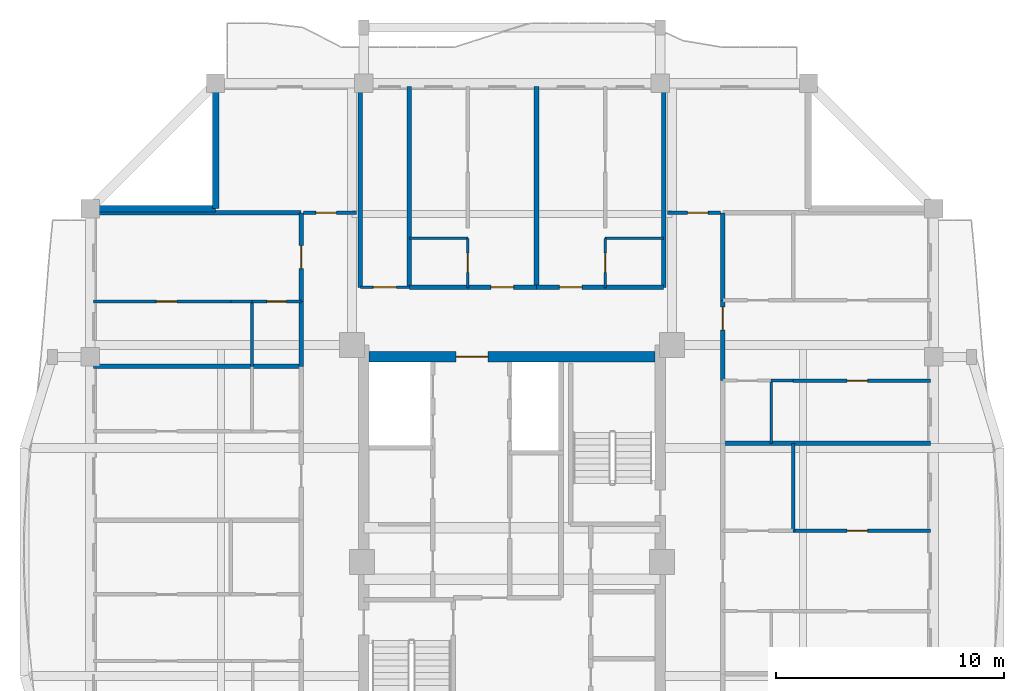
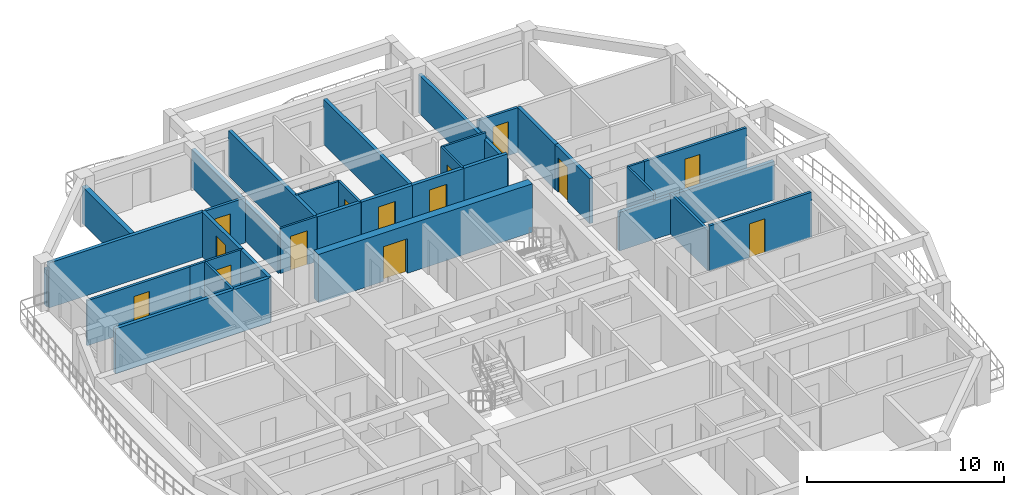
# One storey, part 6 of 13: 34 walls, 14 doors, 14 openings.
"""IFC4 building model written with IfcOpenShell, lengths in metres."""

import ifcopenshell
import ifcopenshell.guid

model = None  # the IFC model being written
_history = None  # IfcOwnerHistory: only IFC2X3 demands one
_inside = {}  # id of a spatial element -> (the spatial element, [elements in it])
_under = {}  # id of a project, library or spatial element -> (it, [spatial elements below it])
_declared = {}  # id of a project -> (the project, [libraries it declares])
_typed = {}  # id of a type object -> (the type object, [elements of that type])
_made_of = {}  # id of a material, layer set ... -> (it, [elements and type objects made of it])


def new_model(schema):
    """Start an empty IFC model of exactly this schema.

    Asked for "IFC4X3", IfcOpenShell would pick the latest addendum, in which some entities
    have other attributes; the version numbers below select the first issue.
    IFC2X3 requires an IfcOwnerHistory on every rooted entity: one is made here for all.
    """
    global model, _history
    if schema == "IFC4X3":
        model = ifcopenshell.file(schema_version=(4, 3, 0, 0))
    else:
        model = ifcopenshell.file(schema=schema)
    _inside.clear()
    _under.clear()
    _declared.clear()
    _typed.clear()
    _made_of.clear()
    _history = None
    if model.schema == "IFC2X3":
        org = make("IfcOrganization", Name="unknown")
        user = make(
            "IfcPersonAndOrganization",
            ThePerson=make("IfcPerson", FamilyName="unknown"),
            TheOrganization=org,
        )
        app = make(
            "IfcApplication",
            ApplicationDeveloper=org,
            Version="unknown",
            ApplicationFullName="unknown",
            ApplicationIdentifier="unknown",
        )
        _history = make(
            "IfcOwnerHistory",
            OwningUser=user,
            OwningApplication=app,
            ChangeAction="ADDED",
            CreationDate=0,
        )
    return model


def make(cls, **values):
    """One entity of the class cls with the attributes given. An attribute that is None is left unset."""
    return model.create_entity(
        cls, **{name: value for name, value in values.items() if value is not None}
    )


def rooted(cls, **values):
    """An entity with a GlobalId (a new one), such as an element, a storey or a relation."""
    return make(cls, GlobalId=ifcopenshell.guid.new(), OwnerHistory=_history, **values)


def si_unit(unit_type, name, prefix=None):
    """IfcSIUnit, for example si_unit("LENGTHUNIT", "METRE", prefix="MILLI")."""
    return make("IfcSIUnit", UnitType=unit_type, Prefix=prefix, Name=name)


def assignment(units):
    """IfcUnitAssignment: the units of a project."""
    return None if units is None else make("IfcUnitAssignment", Units=units)


def point(xyz):
    """IfcCartesianPoint."""
    return None if xyz is None else make("IfcCartesianPoint", Coordinates=xyz)


def direction(xyz):
    """IfcDirection."""
    return None if xyz is None else make("IfcDirection", DirectionRatios=xyz)


def frame(location, z_axis=None, x_axis=None):
    """IfcAxis2Placement3D, a coordinate frame: its origin and axes. An axis left out is left unset."""
    return make(
        "IfcAxis2Placement3D",
        Location=point(location),
        Axis=direction(z_axis),
        RefDirection=direction(x_axis),
    )


def frame_2d(location, x_axis=None):
    """IfcAxis2Placement2D, a coordinate frame in the plane: its origin and x axis."""
    return make(
        "IfcAxis2Placement2D", Location=point(location), RefDirection=direction(x_axis)
    )


def origin():
    """The frame at (0, 0, 0) with its axes left unset."""
    return frame((0.0, 0.0, 0.0))


def place(relative_to, where):
    """IfcLocalPlacement: puts the frame where relative to a parent placement (None: the world)."""
    return make(
        "IfcLocalPlacement", PlacementRelTo=relative_to, RelativePlacement=where
    )


def context(
    kind, dimensions, precision=None, world=None, true_north=None, identifier=None
):
    """IfcGeometricRepresentationContext, for example the 3D "Model" context."""
    return make(
        "IfcGeometricRepresentationContext",
        ContextIdentifier=identifier,
        ContextType=kind,
        CoordinateSpaceDimension=dimensions,
        Precision=precision,
        WorldCoordinateSystem=world,
        TrueNorth=true_north,
    )


def subcontext(parent, identifier, kind, view, scale=None):
    """IfcGeometricRepresentationSubContext, for example "Body" below "Model"."""
    return make(
        "IfcGeometricRepresentationSubContext",
        ContextIdentifier=identifier,
        ContextType=kind,
        ParentContext=parent,
        TargetScale=scale,
        TargetView=view,
    )


def project(units=None, contexts=None):
    """IfcProject with its units and contexts."""
    return rooted(
        "IfcProject",
        Name="project",
        RepresentationContexts=contexts,
        UnitsInContext=assignment(units),
    )


def spatial(cls, under=None, at=None, **own):
    """A site, building, storey or space (cls), placed at a placement, below another one or the project."""
    s = rooted(cls, ObjectPlacement=at, **own)
    if under is not None:
        _under.setdefault(under.id(), (under, []))[1].append(s)
    return s


def profile(cls, at=None, kind="AREA", **sizes):
    """A parametric profile (cls). Its sizes go by their IFC names, for example OverallWidth=200.0."""
    return make(cls, ProfileType=kind, Position=at, **sizes)


def rectangle(**sizes):
    """IfcRectangleProfileDef."""
    return profile("IfcRectangleProfileDef", **sizes)


def extrude(swept, where, along, depth):
    """IfcExtrudedAreaSolid: the profile swept, set in the frame where, extruded along a direction by depth."""
    return make(
        "IfcExtrudedAreaSolid",
        SweptArea=swept,
        Position=where,
        ExtrudedDirection=direction(along),
        Depth=depth,
    )


def shape(context_of_items, identifier, shape_type, items):
    """IfcShapeRepresentation: the items that make up one representation, for example the "Body"."""
    return make(
        "IfcShapeRepresentation",
        ContextOfItems=context_of_items,
        RepresentationIdentifier=identifier,
        RepresentationType=shape_type,
        Items=items,
    )


def source(mapping_origin, context_of_items, identifier, shape_type, items):
    """IfcRepresentationMap: a shape defined once, which mapped items show again and again."""
    return make(
        "IfcRepresentationMap",
        MappingOrigin=mapping_origin,
        MappedRepresentation=shape(context_of_items, identifier, shape_type, items),
    )


def transform(
    local_origin,
    x_axis=None,
    y_axis=None,
    z_axis=None,
    scale=None,
    scale2=None,
    scale3=None,
    uniform=True,
):
    """IfcCartesianTransformationOperator3D, or its non-uniform kind. x_axis, y_axis, z_axis: its Axis1, 2, 3."""
    if uniform:
        return make(
            "IfcCartesianTransformationOperator3D",
            Axis1=direction(x_axis),
            Axis2=direction(y_axis),
            LocalOrigin=point(local_origin),
            Scale=scale,
            Axis3=direction(z_axis),
        )
    return make(
        "IfcCartesianTransformationOperator3DnonUniform",
        Axis1=direction(x_axis),
        Axis2=direction(y_axis),
        LocalOrigin=point(local_origin),
        Scale=scale,
        Axis3=direction(z_axis),
        Scale2=scale2,
        Scale3=scale3,
    )


def mapped(mapping_source, mapping_target):
    """IfcMappedItem: shows the shape of a source again, moved by a transform."""
    return make(
        "IfcMappedItem", MappingSource=mapping_source, MappingTarget=mapping_target
    )


def material(Name=None, Category=None):
    """IfcMaterial."""
    return make("IfcMaterial", Name=Name, Category=Category)


def layer(
    of_material, thickness, ventilated=None, Name=None, Category=None, Priority=None
):
    """IfcMaterialLayer: one layer of a wall or slab, of a material (None: an air gap)."""
    return make(
        "IfcMaterialLayer",
        Material=of_material,
        LayerThickness=thickness,
        IsVentilated=ventilated,
        Name=Name,
        Category=Category,
        Priority=Priority,
    )


def layer_set(layers, Name=None):
    """IfcMaterialLayerSet."""
    return make("IfcMaterialLayerSet", MaterialLayers=layers, LayerSetName=Name)


def made_of(thing, what):
    """Note that an element or type object is made of a material, layer set ...; save() writes the relation."""
    if what is not None:
        _made_of.setdefault(what.id(), (what, []))[1].append(thing)
    return thing


def type_object(cls, material=None, **own):
    """A type object (cls), such as IfcWallType, which elements share."""
    return made_of(rooted(cls, **own), material)


def element(
    cls,
    number,
    at=None,
    inside=None,
    cuts=None,
    type_object=None,
    material=None,
    context=None,
    identifier="Body",
    shape_type=None,
    held_by="IfcProductDefinitionShape",
    body=None,
    shapes=None,
    **own,
):
    """One element of the class cls, such as IfcWall. Its Tag is "e" and its number.

    at: its placement. inside: the storey or other place that contains it. cuts: it is an
    opening in that element (IfcRelVoidsElement). A single representation is given by context,
    identifier, shape_type and body (its items); several are given by shapes. held_by: the class
    of the entity that holds the representations. save() writes the other relations.
    """
    e = rooted(cls, Tag="e%d" % number, ObjectPlacement=at, **own)
    if body is not None:
        shapes = [shape(context, identifier, shape_type, body)]
    if shapes is not None:
        e.Representation = make(held_by, Representations=shapes)
    if inside is not None:
        _inside.setdefault(inside.id(), (inside, []))[1].append(e)
    if cuts is not None:
        rooted(
            "IfcRelVoidsElement", RelatingBuildingElement=cuts, RelatedOpeningElement=e
        )
    if type_object is not None:
        _typed.setdefault(type_object.id(), (type_object, []))[1].append(e)
    return made_of(e, material)


def fill(opening, filler):
    """IfcRelFillsElement: the door or window that sits in an opening."""
    return rooted(
        "IfcRelFillsElement",
        RelatingOpeningElement=opening,
        RelatedBuildingElement=filler,
    )


def aggregate(whole, parts):
    """IfcRelAggregates: a whole, such as a stair, and the parts it consists of."""
    return rooted("IfcRelAggregates", RelatingObject=whole, RelatedObjects=parts)


def save(model, path):
    """Write the relations noted so far, then the file.

    IfcRelAggregates (storeys below a building ...), IfcRelContainedInSpatialStructure (elements
    in a storey), IfcRelDefinesByType, IfcRelAssociatesMaterial and IfcRelDeclares: one each for
    every whole, place, type object, material and project.
    """
    for whole, parts in _under.values():
        aggregate(whole, parts)
    for where, things in _inside.values():
        rooted(
            "IfcRelContainedInSpatialStructure",
            RelatedElements=things,
            RelatingStructure=where,
        )
    for kind, things in _typed.values():
        rooted("IfcRelDefinesByType", RelatedObjects=things, RelatingType=kind)
    for what, things in _made_of.values():
        rooted("IfcRelAssociatesMaterial", RelatedObjects=things, RelatingMaterial=what)
    for by, libraries in _declared.values():
        rooted("IfcRelDeclares", RelatingContext=by, RelatedDefinitions=libraries)
    model.write(path)


model = new_model("IFC4")

# Units and contexts
model_context = context("Model", 3, precision=1e-05, world=origin(), true_north=direction((0.0, 1.0)))
body_context = subcontext(model_context, "Body", "Model", "MODEL_VIEW")
ifc_project = project(units=[si_unit("LENGTHUNIT", "METRE"), si_unit("AREAUNIT", "SQUARE_METRE"), si_unit("VOLUMEUNIT", "CUBIC_METRE"), si_unit("PLANEANGLEUNIT", "RADIAN"), si_unit("MASSUNIT", "GRAM", prefix="KILO")], contexts=[model_context])

# Site, building, storey
site_placement = place(None, origin())
site = spatial("IfcSite", under=ifc_project, at=site_placement, CompositionType="ELEMENT")
building_placement = place(site_placement, origin())
building = spatial("IfcBuilding", under=site, at=building_placement, Name="Saelheon Loggia Tower", CompositionType="ELEMENT")
storey_placement = place(building_placement, frame((0.0, 0.0, 199.60009765625)))
storey = spatial("IfcBuildingStorey", under=building, at=storey_placement, Name="L62", CompositionType="ELEMENT", Elevation=199.60009765625)

# Wall, opening, door
ifc_material_1 = material(Name="Concrete C45/55", Category="concrete")
ifc_layer_1 = layer(ifc_material_1, 0.449951171875)
ifc_layer_set_1 = layer_set([ifc_layer_1], Name="Concrete C45/55")
wall_type_1 = type_object("IfcWallType", Name="Wall_CoreShear_450", PredefinedType="SHEAR", material=ifc_layer_set_1)
wall_1_placement = place(storey_placement, frame((31.72509765625, 36.0, 0.0), z_axis=(0.0, 0.0, 1.0), x_axis=(1.0, 0.0, 0.0)))
wall_1 = element("IfcWall", 1, at=wall_1_placement, inside=storey, type_object=wall_type_1, Name="L62 Core Shear Wall North", PredefinedType="SHEAR", context=body_context, shape_type="SweptSolid", body=[
    extrude(rectangle(XDim=12.5498046875, YDim=0.449951171875, at=frame_2d((6.27490234375, 0.0))), origin(), (0.0, 0.0, 1.0), 3.0),
])
opening_1_placement = place(wall_1_placement, frame((5.224853515625, 0.0, 0.0), z_axis=(0.0, 0.0, 1.0), x_axis=(-1.0, 0.0, 0.0)))
opening_1 = element("IfcOpeningElement", 2, at=opening_1_placement, cuts=wall_1, Name="Opening D-FD2L", PredefinedType="OPENING", context=body_context, shape_type="SweptSolid", body=[
    extrude(rectangle(XDim=1.39990234375, YDim=2.14990234375, at=frame_2d((0.699951171875, 1.074951171875))), frame((0.0, 0.237060546875, 0.0), z_axis=(0.0, -1.0, 0.0), x_axis=(1.0, 0.0, 0.0)), (0.0, 0.0, 1.0), 0.473876953125),
])
ifc_material_2 = material(Name="Galvanised Steel Glazed Lobby Fire Door", Category="steel")
door_type_1 = type_object("IfcDoorType", Name="Door_Fire_FD60_1400", OperationType="NOTDEFINED", PredefinedType="DOOR", material=ifc_material_2)
shared_shape_1 = source(origin(), body_context, "Body", "SweptSolid", [
    extrude(rectangle(XDim=1.39990234375, YDim=2.14990234375, at=frame_2d((0.699951171875, 1.074951171875))), frame((0.0, 0.02490234375, 0.0), z_axis=(0.0, -1.0, 0.0), x_axis=(1.0, 0.0, 0.0)), (0.0, 0.0, 1.0), 0.050048828125),
])
door_1_placement = place(opening_1_placement, origin())
door_1 = element("IfcDoor", 3, at=door_1_placement, inside=storey, type_object=door_type_1, Name="L62 Passenger Lift Lobby Main Door", OperationType="SINGLE_SWING_RIGHT", OverallHeight=2.14990234375, OverallWidth=1.39990234375, PredefinedType="DOOR", context=body_context, shape_type="MappedRepresentation", body=[
    mapped(shared_shape_1, transform((0.0, 0.0, 0.0), scale=1.0)),
])
fill(opening_1, door_1)

# Walls
ifc_material_3 = material(Name="Architectural Precast Concrete C40/50", Category="concrete")
ifc_layer_2 = layer(ifc_material_3, 0.280029296875)
ifc_layer_set_2 = layer_set([ifc_layer_2], Name="Architectural Precast Concrete C40/50")
wall_type_2 = type_object("IfcWallType", Name="Wall_Ext_Loggia_280", PredefinedType="SOLIDWALL", material=ifc_layer_set_2)
for number, where, z_axis, x_axis, name in (
    (4, (25.0, 42.5, 0.0), (0.0, 0.0, 1.0), (0.0, 1.0, 0.0), "L62 Corner Notch Precast Wall NW1"),
    (5, (19.580078125, 42.5, 0.0), (0.0, 0.0, 1.0), (1.0, 0.0, 0.0), "L62 Corner Notch Precast Wall NW2"),
):
    element("IfcWall", number, at=place(storey_placement, frame(where, z_axis=z_axis, x_axis=x_axis)), inside=storey, type_object=wall_type_2, Name=name, PredefinedType="SOLIDWALL", context=body_context, shape_type="SweptSolid", body=[
        extrude(rectangle(XDim=5.419921875, YDim=0.280029296875, at=frame_2d((2.7099609375, 0.0))), origin(), (0.0, 0.0, 1.0), 2.27978515625),
    ])

# Wall, opening, door
ifc_material_4 = material(Name="Lightweight Autoclaved Aerated Concrete Block and Acoustic Gypsum", Category="concrete")
ifc_layer_3 = layer(ifc_material_4, 0.14990234375)
ifc_layer_set_3 = layer_set([ifc_layer_3], Name="Lightweight Autoclaved Aerated Concrete Block and Acoustic Gypsum")
wall_type_3 = type_object("IfcWallType", Name="Wall_Part_150", PredefinedType="PARTITIONING", material=ifc_layer_set_3)
wall_2_placement = place(storey_placement, frame((28.85009765625, 42.320068359375, 0.0), z_axis=(0.0, 0.0, 1.0), x_axis=(1.0, 0.0, 0.0)))
wall_2 = element("IfcWall", 6, at=wall_2_placement, inside=storey, type_object=wall_type_3, Name="PW-L62-CNW-H", PredefinedType="PARTITIONING", context=body_context, shape_type="SweptSolid", body=[
    extrude(rectangle(XDim=2.329833984375, YDim=0.14990234375, at=frame_2d((1.1650390625, 0.0))), origin(), (0.0, 0.0, 1.0), 2.789794921875),
])
opening_2_placement = place(wall_2_placement, frame((0.550048828125, 0.0, 0.0)))
opening_2 = element("IfcOpeningElement", 7, at=opening_2_placement, cuts=wall_2, Name="Opening D-IN2", PredefinedType="OPENING", context=body_context, shape_type="SweptSolid", body=[
    extrude(rectangle(XDim=0.89990234375, YDim=2.10009765625, at=frame_2d((0.449951171875, 1.050048828125))), frame((0.0, 0.0869140625, 0.0), z_axis=(0.0, -1.0, 0.0), x_axis=(1.0, 0.0, 0.0)), (0.0, 0.0, 1.0), 0.173828125),
])
ifc_material_5 = material(Name="Engineered Oak Flush Door", Category="timber")
door_type_2 = type_object("IfcDoorType", Name="Door_Int_900", OperationType="NOTDEFINED", PredefinedType="DOOR", material=ifc_material_5)
shared_shape_2 = source(origin(), body_context, "Body", "SweptSolid", [
    extrude(rectangle(XDim=0.89990234375, YDim=2.10009765625, at=frame_2d((0.449951171875, 1.050048828125))), frame((0.0, 0.02490234375, 0.0), z_axis=(0.0, -1.0, 0.0), x_axis=(1.0, 0.0, 0.0)), (0.0, 0.0, 1.0), 0.050048828125),
])
door_2_placement = place(opening_2_placement, origin())
door_2 = element("IfcDoor", 8, at=door_2_placement, inside=storey, type_object=door_type_2, Name="L62 Corner Home Office NW Door", OperationType="SINGLE_SWING_LEFT", OverallHeight=2.10009765625, OverallWidth=0.89990234375, PredefinedType="DOOR", context=body_context, shape_type="MappedRepresentation", body=[
    mapped(shared_shape_2, transform((0.0, 0.0, 0.0), scale=1.0)),
])
fill(opening_2, door_2)

wall_3_placement = place(storey_placement, frame((44.820068359375, 42.320068359375, 0.0), z_axis=(0.0, 0.0, 1.0), x_axis=(1.0, 0.0, 0.0)))
wall_3 = element("IfcWall", 9, at=wall_3_placement, inside=storey, type_object=wall_type_3, Name="PW-L62-CNE-H", PredefinedType="PARTITIONING", context=body_context, shape_type="SweptSolid", body=[
    extrude(rectangle(XDim=2.329833984375, YDim=0.14990234375, at=frame_2d((1.1650390625, 0.0))), origin(), (0.0, 0.0, 1.0), 2.789794921875),
])
opening_3_placement = place(wall_3_placement, frame((0.8798828125, 0.0, 0.0)))
opening_3 = element("IfcOpeningElement", 10, at=opening_3_placement, cuts=wall_3, Name="Opening D-IN2", PredefinedType="OPENING", context=body_context, shape_type="SweptSolid", body=[
    extrude(rectangle(XDim=0.89990234375, YDim=2.10009765625, at=frame_2d((0.449951171875, 1.050048828125))), frame((0.0, 0.0869140625, 0.0), z_axis=(0.0, -1.0, 0.0), x_axis=(1.0, 0.0, 0.0)), (0.0, 0.0, 1.0), 0.173828125),
])
door_3_placement = place(opening_3_placement, origin())
door_3 = element("IfcDoor", 11, at=door_3_placement, inside=storey, type_object=door_type_2, Name="L62 Corner Reading Room NE Door", OperationType="SINGLE_SWING_LEFT", OverallHeight=2.10009765625, OverallWidth=0.89990234375, PredefinedType="DOOR", context=body_context, shape_type="MappedRepresentation", body=[
    mapped(shared_shape_2, transform((0.0, 0.0, 0.0), scale=1.0)),
])
fill(opening_3, door_3)

wall_4_placement = place(storey_placement, frame((25.669921875, 38.42919921875, 0.0), z_axis=(0.0, 0.0, 1.0), x_axis=(-1.0, 0.0, 0.0)))
wall_4 = element("IfcWall", 12, at=wall_4_placement, inside=storey, type_object=wall_type_3, Name="L62 W Partition U37", PredefinedType="PARTITIONING", context=body_context, shape_type="SweptSolid", body=[
    extrude(rectangle(XDim=6.02001953125, YDim=0.14990234375, at=frame_2d((3.010009765625, 0.0))), origin(), (0.0, 0.0, 1.0), 2.789794921875),
])
opening_4_placement = place(wall_4_placement, frame((2.36669921875, 0.0, 0.0)))
opening_4 = element("IfcOpeningElement", 13, at=opening_4_placement, cuts=wall_4, Name="Opening D-IN2", PredefinedType="OPENING", context=body_context, shape_type="SweptSolid", body=[
    extrude(rectangle(XDim=0.89990234375, YDim=2.10009765625, at=frame_2d((0.449951171875, 1.050048828125))), frame((0.0, 0.0869140625, 0.0), z_axis=(0.0, -1.0, 0.0), x_axis=(1.0, 0.0, 0.0)), (0.0, 0.0, 1.0), 0.173828125),
])
door_4_placement = place(opening_4_placement, origin())
door_4 = element("IfcDoor", 14, at=door_4_placement, inside=storey, type_object=door_type_2, Name="Unit U08 Kitchen Door", OperationType="SINGLE_SWING_RIGHT", OverallHeight=2.10009765625, OverallWidth=0.89990234375, PredefinedType="DOOR", context=body_context, shape_type="MappedRepresentation", body=[
    mapped(shared_shape_2, transform((0.0, 0.0, 0.0), scale=1.0)),
])
fill(opening_4, door_4)

# Wall
wall_5_placement = place(storey_placement, frame((50.330078125, 28.366455078125, 0.0), z_axis=(0.0, 0.0, 1.0), x_axis=(0.0, 1.0, 0.0)))
element("IfcWall", 15, at=wall_5_placement, inside=storey, type_object=wall_type_3, Name="L62 E Partition V18", PredefinedType="PARTITIONING", context=body_context, shape_type="SweptSolid", body=[
    extrude(rectangle(XDim=3.84228515625, YDim=0.14990234375, at=frame_2d((1.921142578125, 0.0))), origin(), (0.0, 0.0, 1.0), 2.489990234375),
])

# Wall, opening, door
wall_6_placement = place(storey_placement, frame((50.330078125, 28.366455078125, 0.0), z_axis=(0.0, 0.0, 1.0), x_axis=(1.0, 0.0, 0.0)))
wall_6 = element("IfcWall", 16, at=wall_6_placement, inside=storey, type_object=wall_type_3, Name="L62 E Partition U23", PredefinedType="PARTITIONING", context=body_context, shape_type="SweptSolid", body=[
    extrude(rectangle(XDim=6.02001953125, YDim=0.14990234375, at=frame_2d((3.010009765625, 0.0))), origin(), (0.0, 0.0, 1.0), 2.789794921875),
])
opening_5_placement = place(wall_6_placement, frame((2.36669921875, 0.0, 0.0)))
opening_5 = element("IfcOpeningElement", 17, at=opening_5_placement, cuts=wall_6, Name="Opening D-IN2", PredefinedType="OPENING", context=body_context, shape_type="SweptSolid", body=[
    extrude(rectangle(XDim=0.89990234375, YDim=2.10009765625, at=frame_2d((0.449951171875, 1.050048828125))), frame((0.0, 0.0869140625, 0.0), z_axis=(0.0, -1.0, 0.0), x_axis=(1.0, 0.0, 0.0)), (0.0, 0.0, 1.0), 0.173828125),
])
door_5_placement = place(opening_5_placement, origin())
door_5 = element("IfcDoor", 18, at=door_5_placement, inside=storey, type_object=door_type_2, Name="Unit U10 Bedroom 1 Door", OperationType="SINGLE_SWING_RIGHT", OverallHeight=2.10009765625, OverallWidth=0.89990234375, PredefinedType="DOOR", context=body_context, shape_type="MappedRepresentation", body=[
    mapped(shared_shape_2, transform((0.0, 0.0, 0.0), scale=1.0)),
])
fill(opening_5, door_5)

wall_7_placement = place(storey_placement, frame((50.330078125, 34.958740234375, 0.0), z_axis=(0.0, 0.0, 1.0), x_axis=(1.0, 0.0, 0.0)))
wall_7 = element("IfcWall", 19, at=wall_7_placement, inside=storey, type_object=wall_type_3, Name="L62 E Partition U32", PredefinedType="PARTITIONING", context=body_context, shape_type="SweptSolid", body=[
    extrude(rectangle(XDim=6.02001953125, YDim=0.14990234375, at=frame_2d((3.010009765625, 0.0))), origin(), (0.0, 0.0, 1.0), 2.789794921875),
])
opening_6_placement = place(wall_7_placement, frame((2.36669921875, 0.0, 0.0)))
opening_6 = element("IfcOpeningElement", 20, at=opening_6_placement, cuts=wall_7, Name="Opening D-IN2", PredefinedType="OPENING", context=body_context, shape_type="SweptSolid", body=[
    extrude(rectangle(XDim=0.89990234375, YDim=2.10009765625, at=frame_2d((0.449951171875, 1.050048828125))), frame((0.0, 0.0869140625, 0.0), z_axis=(0.0, -1.0, 0.0), x_axis=(1.0, 0.0, 0.0)), (0.0, 0.0, 1.0), 0.173828125),
])
door_6_placement = place(opening_6_placement, origin())
door_6 = element("IfcDoor", 21, at=door_6_placement, inside=storey, type_object=door_type_2, Name="Unit U11 Kitchen Door", OperationType="SINGLE_SWING_LEFT", OverallHeight=2.10009765625, OverallWidth=0.89990234375, PredefinedType="DOOR", context=body_context, shape_type="MappedRepresentation", body=[
    mapped(shared_shape_2, transform((0.0, 0.0, 0.0), scale=1.0)),
])
fill(opening_6, door_6)

# Walls
ifc_material_6 = material(Name="Double Acoustic Stud and Fireboard Partition", Category="gypsum")
ifc_layer_4 = layer(ifc_material_6, 0.199951171875)
ifc_layer_set_4 = layer_set([ifc_layer_4], Name="Double Acoustic Stud and Fireboard Partition")
wall_type_4 = type_object("IfcWallType", Name="Wall_Party_200", PredefinedType="PARTITIONING", material=ifc_layer_set_4)
for number, where, z_axis, x_axis, name in (
    (22, (31.35009765625, 39.050048828125, 0.0), (0.0, 0.0, 1.0), (0.0, 1.0, 0.0), "L62 N Partition U01"),
    (23, (44.64990234375, 39.050048828125, 0.0), (0.0, 0.0, 1.0), (0.0, 1.0, 0.0), "L62 N Partition U02"),
):
    element("IfcWall", number, at=place(storey_placement, frame(where, z_axis=z_axis, x_axis=x_axis)), inside=storey, type_object=wall_type_4, Name=name, PredefinedType="PARTITIONING", context=body_context, shape_type="SweptSolid", body=[
        extrude(rectangle(XDim=8.800048828125, YDim=0.199951171875, at=frame_2d((4.39990234375, 0.0))), origin(), (0.0, 0.0, 1.0), 2.389892578125),
    ])
wall_8_placement = place(storey_placement, frame((33.5, 39.050048828125, 0.0), z_axis=(0.0, 0.0, 1.0), x_axis=(0.0, 1.0, 0.0)))
element("IfcWall", 24, at=wall_8_placement, inside=storey, type_object=wall_type_4, Name="L62 N Partition U03", PredefinedType="PARTITIONING", context=body_context, shape_type="SweptSolid", body=[
    extrude(rectangle(XDim=8.800048828125, YDim=0.199951171875, at=frame_2d((4.39990234375, 0.0))), origin(), (0.0, 0.0, 1.0), 2.789794921875),
])
wall_9_placement = place(storey_placement, frame((33.5, 39.050048828125, 0.0), z_axis=(0.0, 0.0, 1.0), x_axis=(1.0, 0.0, 0.0)))
element("IfcWall", 25, at=wall_9_placement, inside=storey, type_object=wall_type_4, Name="L62 N Partition V05", PredefinedType="PARTITIONING", context=body_context, shape_type="SweptSolid", body=[
    extrude(rectangle(XDim=2.564453125, YDim=0.199951171875, at=frame_2d((1.2822265625, 0.0))), origin(), (0.0, 0.0, 1.0), 2.789794921875),
])

# Wall, opening, door
wall_10_placement = place(storey_placement, frame((36.064453125, 39.050048828125, 0.0), z_axis=(0.0, 0.0, 1.0), x_axis=(1.0, 0.0, 0.0)))
wall_10 = element("IfcWall", 26, at=wall_10_placement, inside=storey, type_object=wall_type_4, Name="L62 N Partition V06", PredefinedType="PARTITIONING", context=body_context, shape_type="SweptSolid", body=[
    extrude(rectangle(XDim=3.010498046875, YDim=0.199951171875, at=frame_2d((1.50537109375, 0.0))), origin(), (0.0, 0.0, 1.0), 2.789794921875),
])
opening_7_placement = place(wall_10_placement, frame((1.00537109375, 0.0, 0.0)))
opening_7 = element("IfcOpeningElement", 27, at=opening_7_placement, cuts=wall_10, Name="Opening D-FD1", PredefinedType="OPENING", context=body_context, shape_type="SweptSolid", body=[
    extrude(rectangle(XDim=1.0, YDim=2.14990234375, at=frame_2d((0.5, 1.074951171875))), frame((0.0, 0.112060546875, 0.0), z_axis=(0.0, -1.0, 0.0), x_axis=(1.0, 0.0, 0.0)), (0.0, 0.0, 1.0), 0.223876953125),
])
ifc_material_7 = material(Name="Fire-Rated Engineered Timber Entrance Door", Category="wood")
door_type_3 = type_object("IfcDoorType", Name="Door_Flat_FD30S", OperationType="NOTDEFINED", PredefinedType="DOOR", material=ifc_material_7)
shared_shape_3 = source(origin(), body_context, "Body", "SweptSolid", [
    extrude(rectangle(XDim=1.0, YDim=2.14990234375, at=frame_2d((0.5, 1.074951171875))), frame((0.0, 0.02490234375, 0.0), z_axis=(0.0, -1.0, 0.0), x_axis=(1.0, 0.0, 0.0)), (0.0, 0.0, 1.0), 0.050048828125),
])
door_7_placement = place(opening_7_placement, origin())
door_7 = element("IfcDoor", 28, at=door_7_placement, inside=storey, type_object=door_type_3, Name="Unit U03 Entrance Door", OperationType="SINGLE_SWING_LEFT", OverallHeight=2.14990234375, OverallWidth=1.0, PredefinedType="DOOR", context=body_context, shape_type="MappedRepresentation", body=[
    mapped(shared_shape_3, transform((0.0, 0.0, 0.0), scale=1.0)),
])
fill(opening_7, door_7)

# Wall
wall_11_placement = place(storey_placement, frame((39.074951171875, 39.050048828125, 0.0), z_axis=(0.0, 0.0, 1.0), x_axis=(0.0, 1.0, 0.0)))
element("IfcWall", 29, at=wall_11_placement, inside=storey, type_object=wall_type_4, Name="L62 N Partition U10", PredefinedType="PARTITIONING", context=body_context, shape_type="SweptSolid", body=[
    extrude(rectangle(XDim=8.800048828125, YDim=0.199951171875, at=frame_2d((4.39990234375, 0.0))), origin(), (0.0, 0.0, 1.0), 2.789794921875),
])

# Wall, opening, door
wall_12_placement = place(storey_placement, frame((39.074951171875, 39.050048828125, 0.0), z_axis=(0.0, 0.0, 1.0), x_axis=(1.0, 0.0, 0.0)))
wall_12 = element("IfcWall", 30, at=wall_12_placement, inside=storey, type_object=wall_type_4, Name="L62 N Partition V11", PredefinedType="PARTITIONING", context=body_context, shape_type="SweptSolid", body=[
    extrude(rectangle(XDim=3.010498046875, YDim=0.199951171875, at=frame_2d((1.50537109375, 0.0))), origin(), (0.0, 0.0, 1.0), 2.789794921875),
])
opening_8_placement = place(wall_12_placement, frame((1.00537109375, 0.0, 0.0)))
opening_8 = element("IfcOpeningElement", 31, at=opening_8_placement, cuts=wall_12, Name="Opening D-FD1", PredefinedType="OPENING", context=body_context, shape_type="SweptSolid", body=[
    extrude(rectangle(XDim=1.0, YDim=2.14990234375, at=frame_2d((0.5, 1.074951171875))), frame((0.0, 0.112060546875, 0.0), z_axis=(0.0, -1.0, 0.0), x_axis=(1.0, 0.0, 0.0)), (0.0, 0.0, 1.0), 0.223876953125),
])
door_8_placement = place(opening_8_placement, origin())
door_8 = element("IfcDoor", 32, at=door_8_placement, inside=storey, type_object=door_type_3, Name="Unit U04 Entrance Door", OperationType="SINGLE_SWING_RIGHT", OverallHeight=2.14990234375, OverallWidth=1.0, PredefinedType="DOOR", context=body_context, shape_type="MappedRepresentation", body=[
    mapped(shared_shape_3, transform((0.0, 0.0, 0.0), scale=1.0)),
])
fill(opening_8, door_8)

# Walls
wall_13_placement = place(storey_placement, frame((42.08544921875, 39.050048828125, 0.0), z_axis=(0.0, 0.0, 1.0), x_axis=(1.0, 0.0, 0.0)))
element("IfcWall", 33, at=wall_13_placement, inside=storey, type_object=wall_type_4, Name="L62 N Partition V12", PredefinedType="PARTITIONING", context=body_context, shape_type="SweptSolid", body=[
    extrude(rectangle(XDim=2.564453125, YDim=0.199951171875, at=frame_2d((1.2822265625, 0.0))), origin(), (0.0, 0.0, 1.0), 2.789794921875),
])
for number, where, z_axis, x_axis, name in (
    (34, (28.75, 42.320068359375, 0.0), (0.0, 0.0, 1.0), (-1.0, 0.0, 0.0), "L62 W Partition U02"),
    (35, (28.75, 35.5791015625, 0.0), (0.0, 0.0, 1.0), (-1.0, 0.0, 0.0), "L62 W Partition U31"),
):
    element("IfcWall", number, at=place(storey_placement, frame(where, z_axis=z_axis, x_axis=x_axis)), inside=storey, type_object=wall_type_4, Name=name, PredefinedType="PARTITIONING", context=body_context, shape_type="SweptSolid", body=[
        extrude(rectangle(XDim=9.10009765625, YDim=0.199951171875, at=frame_2d((4.550048828125, 0.0))), origin(), (0.0, 0.0, 1.0), 2.789794921875),
    ])
wall_14_placement = place(storey_placement, frame((28.75, 35.5791015625, 0.0), z_axis=(0.0, 0.0, 1.0), x_axis=(0.0, 1.0, 0.0)))
element("IfcWall", 36, at=wall_14_placement, inside=storey, type_object=wall_type_4, Name="L62 W Partition V32", PredefinedType="PARTITIONING", context=body_context, shape_type="SweptSolid", body=[
    extrude(rectangle(XDim=2.85009765625, YDim=0.199951171875, at=frame_2d((1.425048828125, 0.0))), origin(), (0.0, 0.0, 1.0), 2.789794921875),
])

# Wall, opening, door
wall_15_placement = place(storey_placement, frame((28.75, 38.42919921875, 0.0), z_axis=(0.0, 0.0, 1.0), x_axis=(0.0, 1.0, 0.0)))
wall_15 = element("IfcWall", 37, at=wall_15_placement, inside=storey, type_object=wall_type_4, Name="L62 W Partition V33", PredefinedType="PARTITIONING", context=body_context, shape_type="SweptSolid", body=[
    extrude(rectangle(XDim=3.890869140625, YDim=0.199951171875, at=frame_2d((1.9453125, 0.0))), origin(), (0.0, 0.0, 1.0), 2.789794921875),
])
opening_9_placement = place(wall_15_placement, frame((1.4453125, 0.0, 0.0)))
opening_9 = element("IfcOpeningElement", 38, at=opening_9_placement, cuts=wall_15, Name="Opening D-FD1", PredefinedType="OPENING", context=body_context, shape_type="SweptSolid", body=[
    extrude(rectangle(XDim=1.0, YDim=2.14990234375, at=frame_2d((0.5, 1.074951171875))), frame((0.0, 0.112060546875, 0.0), z_axis=(0.0, -1.0, 0.0), x_axis=(1.0, 0.0, 0.0)), (0.0, 0.0, 1.0), 0.223876953125),
])
door_9_placement = place(opening_9_placement, origin())
door_9 = element("IfcDoor", 39, at=door_9_placement, inside=storey, type_object=door_type_3, Name="Unit U08 Entrance Door", OperationType="SINGLE_SWING_RIGHT", OverallHeight=2.14990234375, OverallWidth=1.0, PredefinedType="DOOR", context=body_context, shape_type="MappedRepresentation", body=[
    mapped(shared_shape_3, transform((0.0, 0.0, 0.0), scale=1.0)),
])
fill(opening_9, door_9)

# Wall
wall_16_placement = place(storey_placement, frame((47.25, 32.208740234375, 0.0), z_axis=(0.0, 0.0, 1.0), x_axis=(1.0, 0.0, 0.0)))
element("IfcWall", 40, at=wall_16_placement, inside=storey, type_object=wall_type_4, Name="L62 E Partition U24", PredefinedType="PARTITIONING", context=body_context, shape_type="SweptSolid", body=[
    extrude(rectangle(XDim=9.10009765625, YDim=0.199951171875, at=frame_2d((4.550048828125, 0.0))), origin(), (0.0, 0.0, 1.0), 2.389892578125),
])

# Wall, opening, door
wall_17_placement = place(storey_placement, frame((47.25, 34.958740234375, 0.0), z_axis=(0.0, 0.0, 1.0), x_axis=(0.0, 1.0, 0.0)))
wall_17 = element("IfcWall", 41, at=wall_17_placement, inside=storey, type_object=wall_type_4, Name="L62 E Partition V26", PredefinedType="PARTITIONING", context=body_context, shape_type="SweptSolid", body=[
    extrude(rectangle(XDim=3.51904296875, YDim=0.199951171875, at=frame_2d((1.759521484375, 0.0))), origin(), (0.0, 0.0, 1.0), 2.789794921875),
])
opening_10_placement = place(wall_17_placement, frame((2.21728515625, 0.0, 0.0)))
opening_10 = element("IfcOpeningElement", 42, at=opening_10_placement, cuts=wall_17, Name="Opening D-FD1", PredefinedType="OPENING", context=body_context, shape_type="SweptSolid", body=[
    extrude(rectangle(XDim=1.0, YDim=2.14990234375, at=frame_2d((0.5, 1.074951171875))), frame((0.0, 0.112060546875, 0.0), z_axis=(0.0, -1.0, 0.0), x_axis=(1.0, 0.0, 0.0)), (0.0, 0.0, 1.0), 0.223876953125),
])
door_10_placement = place(opening_10_placement, origin())
door_10 = element("IfcDoor", 43, at=door_10_placement, inside=storey, type_object=door_type_3, Name="Unit U11 Entrance Door", OperationType="SINGLE_SWING_LEFT", OverallHeight=2.14990234375, OverallWidth=1.0, PredefinedType="DOOR", context=body_context, shape_type="MappedRepresentation", body=[
    mapped(shared_shape_3, transform((0.0, 0.0, 0.0), scale=1.0)),
])
fill(opening_10, door_10)

# Wall
wall_18_placement = place(storey_placement, frame((47.25, 38.477783203125, 0.0), z_axis=(0.0, 0.0, 1.0), x_axis=(0.0, 1.0, 0.0)))
element("IfcWall", 44, at=wall_18_placement, inside=storey, type_object=wall_type_4, Name="L62 E Partition V27", PredefinedType="PARTITIONING", context=body_context, shape_type="SweptSolid", body=[
    extrude(rectangle(XDim=3.84228515625, YDim=0.199951171875, at=frame_2d((1.921142578125, 0.0))), origin(), (0.0, 0.0, 1.0), 2.789794921875),
])

# Wall, opening, door
ifc_material_8 = material(Name="Moisture-Resistant Cement Board Partition", Category="gypsum")
ifc_layer_5 = layer(ifc_material_8, 0.1201171875)
ifc_layer_set_5 = layer_set([ifc_layer_5], Name="Moisture-Resistant Cement Board Partition")
wall_type_5 = type_object("IfcWallType", Name="Wall_WetPart_120", PredefinedType="PARTITIONING", material=ifc_layer_set_5)
wall_19_placement = place(storey_placement, frame((31.35009765625, 39.050048828125, 0.0), z_axis=(0.0, 0.0, 1.0), x_axis=(1.0, 0.0, 0.0)))
wall_19 = element("IfcWall", 45, at=wall_19_placement, inside=storey, type_object=wall_type_5, Name="L62 N Partition V04", PredefinedType="PARTITIONING", context=body_context, shape_type="SweptSolid", body=[
    extrude(rectangle(XDim=2.14990234375, YDim=0.1201171875, at=frame_2d((1.074951171875, 0.0))), origin(), (0.0, 0.0, 1.0), 2.789794921875),
])
opening_11_placement = place(wall_19_placement, frame((0.574951171875, 0.0, 0.0)))
opening_11 = element("IfcOpeningElement", 46, at=opening_11_placement, cuts=wall_19, Name="Opening D-AC1", PredefinedType="OPENING", context=body_context, shape_type="SweptSolid", body=[
    extrude(rectangle(XDim=1.0, YDim=2.10009765625, at=frame_2d((0.5, 1.050048828125))), frame((0.0, 0.072021484375, 0.0), z_axis=(0.0, -1.0, 0.0), x_axis=(1.0, 0.0, 0.0)), (0.0, 0.0, 1.0), 0.14404296875),
])
ifc_material_9 = material(Name="Accessible Laminate Flush Door", Category="timber")
door_type_4 = type_object("IfcDoorType", Name="Door_Acc_1000", OperationType="NOTDEFINED", PredefinedType="DOOR", material=ifc_material_9)
shared_shape_4 = source(origin(), body_context, "Body", "SweptSolid", [
    extrude(rectangle(XDim=1.0, YDim=2.10009765625, at=frame_2d((0.5, 1.050048828125))), frame((0.0, 0.02490234375, 0.0), z_axis=(0.0, -1.0, 0.0), x_axis=(1.0, 0.0, 0.0)), (0.0, 0.0, 1.0), 0.050048828125),
])
door_11_placement = place(opening_11_placement, origin())
door_11 = element("IfcDoor", 47, at=door_11_placement, inside=storey, type_object=door_type_4, Name="L62 Floor Accessible WC Door", OperationType="SINGLE_SWING_RIGHT", OverallHeight=2.10009765625, OverallWidth=1.0, PredefinedType="DOOR", context=body_context, shape_type="MappedRepresentation", body=[
    mapped(shared_shape_4, transform((0.0, 0.0, 0.0), scale=1.0)),
])
fill(opening_11, door_11)

wall_20_placement = place(storey_placement, frame((36.064453125, 39.050048828125, 0.0), z_axis=(0.0, 0.0, 1.0), x_axis=(0.0, 1.0, 0.0)))
wall_20 = element("IfcWall", 48, at=wall_20_placement, inside=storey, type_object=wall_type_5, Name="L62 N Partition U07", PredefinedType="PARTITIONING", context=body_context, shape_type="SweptSolid", body=[
    extrude(rectangle(XDim=2.14990234375, YDim=0.1201171875, at=frame_2d((1.074951171875, 0.0))), origin(), (0.0, 0.0, 1.0), 2.789794921875),
])
opening_12_placement = place(wall_20_placement, frame((0.64990234375, 0.0, 0.0)))
opening_12 = element("IfcOpeningElement", 49, at=opening_12_placement, cuts=wall_20, Name="Opening D-BT1", PredefinedType="OPENING", context=body_context, shape_type="SweptSolid", body=[
    extrude(rectangle(XDim=0.85009765625, YDim=2.050048828125, at=frame_2d((0.425048828125, 1.02490234375))), frame((0.0, 0.072021484375, 0.0), z_axis=(0.0, -1.0, 0.0), x_axis=(1.0, 0.0, 0.0)), (0.0, 0.0, 1.0), 0.14404296875),
])
ifc_material_10 = material(Name="Moisture-Resistant Laminate Timber Door", Category="wood")
door_type_5 = type_object("IfcDoorType", Name="Door_Bath_850", OperationType="NOTDEFINED", PredefinedType="DOOR", material=ifc_material_10)
shared_shape_5 = source(origin(), body_context, "Body", "SweptSolid", [
    extrude(rectangle(XDim=0.85009765625, YDim=2.050048828125, at=frame_2d((0.425048828125, 1.02490234375))), frame((0.0, 0.02490234375, 0.0), z_axis=(0.0, -1.0, 0.0), x_axis=(1.0, 0.0, 0.0)), (0.0, 0.0, 1.0), 0.050048828125),
])
door_12_placement = place(opening_12_placement, origin())
door_12 = element("IfcDoor", 50, at=door_12_placement, inside=storey, type_object=door_type_5, Name="Unit U03 Bathroom Door", OperationType="SINGLE_SWING_RIGHT", OverallHeight=2.050048828125, OverallWidth=0.85009765625, PredefinedType="DOOR", context=body_context, shape_type="MappedRepresentation", body=[
    mapped(shared_shape_5, transform((0.0, 0.0, 0.0), scale=1.0)),
])
fill(opening_12, door_12)

# Wall
wall_21_placement = place(storey_placement, frame((33.5, 41.199951171875, 0.0), z_axis=(0.0, 0.0, 1.0), x_axis=(1.0, 0.0, 0.0)))
element("IfcWall", 51, at=wall_21_placement, inside=storey, type_object=wall_type_5, Name="L62 N Partition V08", PredefinedType="PARTITIONING", context=body_context, shape_type="SweptSolid", body=[
    extrude(rectangle(XDim=2.564453125, YDim=0.1201171875, at=frame_2d((1.2822265625, 0.0))), origin(), (0.0, 0.0, 1.0), 2.789794921875),
])

# Wall, opening, door
wall_22_placement = place(storey_placement, frame((42.08544921875, 39.050048828125, 0.0), z_axis=(0.0, 0.0, 1.0), x_axis=(0.0, 1.0, 0.0)))
wall_22 = element("IfcWall", 52, at=wall_22_placement, inside=storey, type_object=wall_type_5, Name="L62 N Partition U13", PredefinedType="PARTITIONING", context=body_context, shape_type="SweptSolid", body=[
    extrude(rectangle(XDim=2.14990234375, YDim=0.1201171875, at=frame_2d((1.074951171875, 0.0))), origin(), (0.0, 0.0, 1.0), 2.789794921875),
])
opening_13_placement = place(wall_22_placement, frame((0.64990234375, 0.0, 0.0)))
opening_13 = element("IfcOpeningElement", 53, at=opening_13_placement, cuts=wall_22, Name="Opening D-BT1", PredefinedType="OPENING", context=body_context, shape_type="SweptSolid", body=[
    extrude(rectangle(XDim=0.85009765625, YDim=2.050048828125, at=frame_2d((0.425048828125, 1.02490234375))), frame((0.0, 0.072021484375, 0.0), z_axis=(0.0, -1.0, 0.0), x_axis=(1.0, 0.0, 0.0)), (0.0, 0.0, 1.0), 0.14404296875),
])
door_13_placement = place(opening_13_placement, origin())
door_13 = element("IfcDoor", 54, at=door_13_placement, inside=storey, type_object=door_type_5, Name="Unit U04 Bathroom Door", OperationType="SINGLE_SWING_LEFT", OverallHeight=2.050048828125, OverallWidth=0.85009765625, PredefinedType="DOOR", context=body_context, shape_type="MappedRepresentation", body=[
    mapped(shared_shape_5, transform((0.0, 0.0, 0.0), scale=1.0)),
])
fill(opening_13, door_13)

# Wall
wall_23_placement = place(storey_placement, frame((42.08544921875, 41.199951171875, 0.0), z_axis=(0.0, 0.0, 1.0), x_axis=(1.0, 0.0, 0.0)))
element("IfcWall", 55, at=wall_23_placement, inside=storey, type_object=wall_type_5, Name="L62 N Partition V14", PredefinedType="PARTITIONING", context=body_context, shape_type="SweptSolid", body=[
    extrude(rectangle(XDim=2.564453125, YDim=0.1201171875, at=frame_2d((1.2822265625, 0.0))), origin(), (0.0, 0.0, 1.0), 2.789794921875),
])

# Wall, opening, door
wall_24_placement = place(storey_placement, frame((28.75, 38.42919921875, 0.0), z_axis=(0.0, 0.0, 1.0), x_axis=(-1.0, 0.0, 0.0)))
wall_24 = element("IfcWall", 56, at=wall_24_placement, inside=storey, type_object=wall_type_5, Name="L62 W Partition U34", PredefinedType="PARTITIONING", context=body_context, shape_type="SweptSolid", body=[
    extrude(rectangle(XDim=2.14990234375, YDim=0.1201171875, at=frame_2d((1.074951171875, 0.0))), origin(), (0.0, 0.0, 1.0), 2.789794921875),
])
opening_14_placement = place(wall_24_placement, frame((0.64990234375, 0.0, 0.0)))
opening_14 = element("IfcOpeningElement", 57, at=opening_14_placement, cuts=wall_24, Name="Opening D-BT1", PredefinedType="OPENING", context=body_context, shape_type="SweptSolid", body=[
    extrude(rectangle(XDim=0.85009765625, YDim=2.050048828125, at=frame_2d((0.425048828125, 1.02490234375))), frame((0.0, 0.072021484375, 0.0), z_axis=(0.0, -1.0, 0.0), x_axis=(1.0, 0.0, 0.0)), (0.0, 0.0, 1.0), 0.14404296875),
])
door_14_placement = place(opening_14_placement, origin())
door_14 = element("IfcDoor", 58, at=door_14_placement, inside=storey, type_object=door_type_5, Name="Unit U08 Bathroom Door", OperationType="SINGLE_SWING_LEFT", OverallHeight=2.050048828125, OverallWidth=0.85009765625, PredefinedType="DOOR", context=body_context, shape_type="MappedRepresentation", body=[
    mapped(shared_shape_5, transform((0.0, 0.0, 0.0), scale=1.0)),
])
fill(opening_14, door_14)

# Walls
wall_25_placement = place(storey_placement, frame((26.60009765625, 38.42919921875, 0.0), z_axis=(0.0, 0.0, 1.0), x_axis=(-1.0, 0.0, 0.0)))
element("IfcWall", 59, at=wall_25_placement, inside=storey, type_object=wall_type_5, Name="L62 W Partition U35", PredefinedType="PARTITIONING", context=body_context, shape_type="SweptSolid", body=[
    extrude(rectangle(XDim=0.93017578125, YDim=0.1201171875, at=frame_2d((0.465087890625, 0.0))), origin(), (0.0, 0.0, 1.0), 2.789794921875),
])
wall_26_placement = place(storey_placement, frame((26.60009765625, 35.5791015625, 0.0), z_axis=(0.0, 0.0, 1.0), x_axis=(0.0, 1.0, 0.0)))
element("IfcWall", 60, at=wall_26_placement, inside=storey, type_object=wall_type_5, Name="L62 W Partition V36", PredefinedType="PARTITIONING", context=body_context, shape_type="SweptSolid", body=[
    extrude(rectangle(XDim=2.85009765625, YDim=0.1201171875, at=frame_2d((1.425048828125, 0.0))), origin(), (0.0, 0.0, 1.0), 2.789794921875),
])
wall_27_placement = place(storey_placement, frame((49.3701171875, 32.208740234375, 0.0), z_axis=(0.0, 0.0, 1.0), x_axis=(0.0, 1.0, 0.0)))
element("IfcWall", 61, at=wall_27_placement, inside=storey, type_object=wall_type_5, Name="L62 E Partition V28", PredefinedType="PARTITIONING", context=body_context, shape_type="SweptSolid", body=[
    extrude(rectangle(XDim=2.75, YDim=0.1201171875, at=frame_2d((1.375, 0.0))), origin(), (0.0, 0.0, 1.0), 2.789794921875),
])
wall_28_placement = place(storey_placement, frame((49.3701171875, 34.958740234375, 0.0), z_axis=(0.0, 0.0, 1.0), x_axis=(1.0, 0.0, 0.0)))
element("IfcWall", 62, at=wall_28_placement, inside=storey, type_object=wall_type_5, Name="L62 E Partition U31", PredefinedType="PARTITIONING", context=body_context, shape_type="SweptSolid", body=[
    extrude(rectangle(XDim=0.9599609375, YDim=0.1201171875, at=frame_2d((0.47998046875, 0.0))), origin(), (0.0, 0.0, 1.0), 2.789794921875),
])

save(model, "model.ifc")
